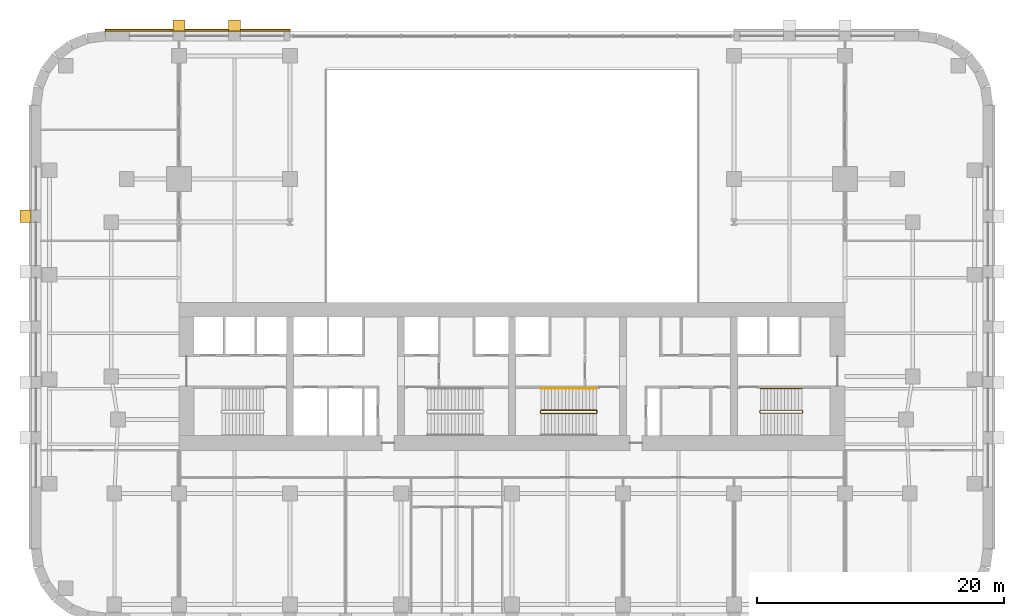
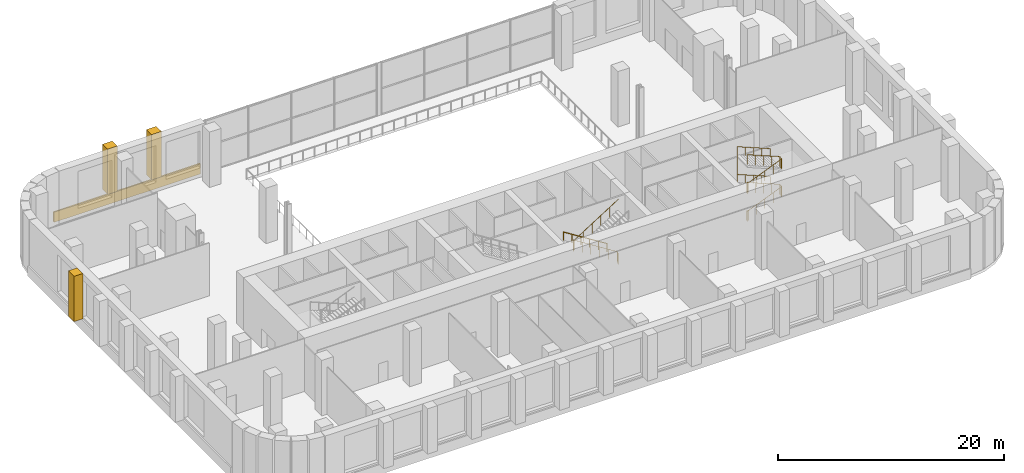
# One storey, part 11 of 13: 4 coverings, 4 railings.
"""IFC4 building model written with IfcOpenShell, lengths in metres."""

from ifc_helpers import new_model, si_unit, direction, frame, origin, origin_2d, place, context, subcontext, project, spatial, polyline, circle, outline, extrude, material, layer, layer_set, type_object, element, save


model = new_model("IFC4")

# Units and contexts
model_context = context("Model", 3, precision=1e-05, world=origin(), true_north=direction((0.0, 1.0)))
body_context = subcontext(model_context, "Body", "Model", "MODEL_VIEW")
ifc_project = project(units=[si_unit("LENGTHUNIT", "METRE"), si_unit("AREAUNIT", "SQUARE_METRE"), si_unit("VOLUMEUNIT", "CUBIC_METRE"), si_unit("PLANEANGLEUNIT", "RADIAN"), si_unit("MASSUNIT", "GRAM", prefix="KILO")], contexts=[model_context])

# Site, building, storey
site_placement = place(None, origin())
site = spatial("IfcSite", under=ifc_project, at=site_placement, CompositionType="ELEMENT")
building_placement = place(site_placement, origin())
building = spatial("IfcBuilding", under=site, at=building_placement, Name="Zellij Exchange Tower", CompositionType="ELEMENT")
storey_placement = place(building_placement, frame((0.0, 0.0, 15.0)))
storey = spatial("IfcBuildingStorey", under=building, at=storey_placement, Name="L02", CompositionType="ELEMENT", Elevation=15.0)

# Railings
ifc_material_1 = material(Name="Stainless steel", Category="steel")
railing_type_1 = type_object("IfcRailingType", Name="CORE-RG stair guard", PredefinedType="GUARDRAIL", material=ifc_material_1)
railing_1_placement = place(storey_placement, frame((6.89990234375, -10.800048828125, 0.0)))
element("IfcRailing", 1, at=railing_1_placement, inside=storey, type_object=railing_type_1, Name="ST3 stair guard L02", PredefinedType="GUARDRAIL", context=body_context, shape_type="SweptSolid", body=[
    extrude(circle(Radius=0.02392578125, at=origin_2d()), frame((0.0, 0.0, 1.076171875), z_axis=(0.0, -1.0, 0.0), x_axis=(1.0, 0.0, 0.0)), (0.0, 0.0, 1.0), 0.14990234375),
    extrude(circle(Radius=0.02392578125, at=origin_2d()), frame((0.0, -0.14990234375, 1.076171875), z_axis=(-0.183560001127, 0.736939416289, 0.650558239288), x_axis=(-0.970351222016, -0.241699205484, 0.0)), (0.0, 0.0, 1.0), 0.271240234375),
    extrude(circle(Radius=0.02392578125, at=origin_2d()), frame((-0.0498046875, 0.050048828125, 1.25244140625), z_axis=(-0.845997938375, 0.0, 0.533186166611), x_axis=(0.0, -1.0, 0.0)), (0.0, 0.0, 1.0), 5.29541015625),
    extrude(circle(Radius=0.02392578125, at=origin_2d()), frame((-4.52978515625, 0.050048828125, 4.076171875), z_axis=(-0.707106781187, -0.707106781187, 0.0), x_axis=(0.707106781187, -0.707106781187, 0.0)), (0.0, 0.0, 1.0), 0.07080078125),
    extrude(circle(Radius=0.02392578125, at=origin_2d()), frame((-4.579833984375, 0.0, 4.076171875), z_axis=(0.0, -1.0, 0.0), x_axis=(1.0, 0.0, 0.0)), (0.0, 0.0, 1.0), 0.14990234375),
    extrude(circle(Radius=0.02392578125, at=origin_2d()), frame((-4.579833984375, -0.14990234375, 4.076171875), z_axis=(0.263171338983, -0.263171338983, 0.928160380902), x_axis=(0.707106781187, 0.707106781187, 0.0)), (0.0, 0.0, 1.0), 0.190185546875),
    extrude(circle(Radius=0.02392578125, at=origin_2d()), frame((-4.52978515625, -0.199951171875, 4.25244140625), z_axis=(0.845997938375, 0.0, 0.533186166611), x_axis=(0.0, 1.0, 0.0)), (0.0, 0.0, 1.0), 5.29541015625),
    extrude(circle(Radius=0.02099609375, at=origin_2d()), origin(), (0.0, 0.0, 1.0), 1.052001953125),
    extrude(circle(Radius=0.02099609375, at=origin_2d()), frame((0.0, -0.14990234375, 0.0)), (0.0, 0.0, 1.0), 1.052001953125),
    extrude(circle(Radius=0.02099609375, at=origin_2d()), frame((-0.0498046875, 0.050048828125, 0.176513671875)), (0.0, 0.0, 1.0), 1.052001953125),
    extrude(circle(Radius=0.02099609375, at=origin_2d()), frame((-0.94580078125, 0.050048828125, 0.7412109375)), (0.0, 0.0, 1.0), 1.052001953125),
    extrude(circle(Radius=0.02099609375, at=origin_2d()), frame((-1.841796875, 0.050048828125, 1.305908203125)), (0.0, 0.0, 1.0), 1.052001953125),
    extrude(circle(Radius=0.02099609375, at=origin_2d()), frame((-2.73779296875, 0.050048828125, 1.87060546875)), (0.0, 0.0, 1.0), 1.052001953125),
    extrude(circle(Radius=0.02099609375, at=origin_2d()), frame((-3.6337890625, 0.050048828125, 2.435302734375)), (0.0, 0.0, 1.0), 1.052001953125),
    extrude(circle(Radius=0.02099609375, at=origin_2d()), frame((-4.52978515625, 0.050048828125, 3.0)), (0.0, 0.0, 1.0), 1.052001953125),
    extrude(circle(Radius=0.02099609375, at=origin_2d()), frame((-4.579833984375, 0.0, 3.0)), (0.0, 0.0, 1.0), 1.052001953125),
    extrude(circle(Radius=0.02099609375, at=origin_2d()), frame((-4.579833984375, -0.14990234375, 3.0)), (0.0, 0.0, 1.0), 1.052001953125),
    extrude(circle(Radius=0.02099609375, at=origin_2d()), frame((-4.52978515625, -0.199951171875, 3.176513671875)), (0.0, 0.0, 1.0), 1.052001953125),
    extrude(circle(Radius=0.02099609375, at=origin_2d()), frame((-3.6337890625, -0.199951171875, 3.7412109375)), (0.0, 0.0, 1.0), 1.052001953125),
    extrude(circle(Radius=0.02099609375, at=origin_2d()), frame((-2.73779296875, -0.199951171875, 4.305908203125)), (0.0, 0.0, 1.0), 1.052001953125),
    extrude(circle(Radius=0.02099609375, at=origin_2d()), frame((-1.841796875, -0.199951171875, 4.87060546875)), (0.0, 0.0, 1.0), 1.052001953125),
    extrude(circle(Radius=0.02099609375, at=origin_2d()), frame((-0.94580078125, -0.199951171875, 5.435302734375)), (0.0, 0.0, 1.0), 1.052001953125),
    extrude(circle(Radius=0.02099609375, at=origin_2d()), frame((-0.0498046875, -0.199951171875, 6.0)), (0.0, 0.0, 1.0), 1.052001953125),
])
railing_2_placement = place(storey_placement, frame((20.10009765625, -10.949951171875, 0.0)))
element("IfcRailing", 2, at=railing_2_placement, inside=storey, type_object=railing_type_1, Name="ST4 stair guard L02", PredefinedType="GUARDRAIL", context=body_context, shape_type="SweptSolid", body=[
    extrude(circle(Radius=0.02392578125, at=origin_2d()), frame((0.0, 0.0, 1.076171875), z_axis=(0.0, 1.0, 0.0), x_axis=(-1.0, 0.0, 0.0)), (0.0, 0.0, 1.0), 0.14990234375),
    extrude(circle(Radius=0.02392578125, at=origin_2d()), frame((0.0, 0.14990234375, 1.076171875), z_axis=(0.210847110147, -0.846489133385, 0.488875897547), x_axis=(0.970351222016, 0.241699205484, 0.0)), (0.0, 0.0, 1.0), 0.236328125),
    extrude(circle(Radius=0.02392578125, at=origin_2d()), frame((0.0498046875, -0.050048828125, 1.19140625), z_axis=(0.924586246868, 0.0, 0.380972797064), x_axis=(0.0, 1.0, 0.0)), (0.0, 0.0, 1.0), 3.63427734375),
    extrude(circle(Radius=0.02392578125, at=origin_2d()), frame((3.409912109375, -0.050048828125, 2.576171875), z_axis=(0.707106781187, 0.707106781187, 0.0), x_axis=(-0.707106781187, 0.707106781187, 0.0)), (0.0, 0.0, 1.0), 0.07080078125),
    extrude(circle(Radius=0.02392578125, at=origin_2d()), frame((3.4599609375, 0.0, 2.576171875), z_axis=(0.0, 1.0, 0.0), x_axis=(-1.0, 0.0, 0.0)), (0.0, 0.0, 1.0), 0.14990234375),
    extrude(circle(Radius=0.02392578125, at=origin_2d()), frame((3.4599609375, 0.14990234375, 2.576171875), z_axis=(-0.3695169537, 0.3695169537, 0.852592776099), x_axis=(-0.707106781187, -0.707106781187, 0.0)), (0.0, 0.0, 1.0), 0.135498046875),
    extrude(circle(Radius=0.02392578125, at=origin_2d()), frame((3.409912109375, 0.199951171875, 2.69140625), z_axis=(-0.924586246868, 0.0, 0.380972797064), x_axis=(0.0, -1.0, 0.0)), (0.0, 0.0, 1.0), 3.63427734375),
    extrude(circle(Radius=0.02392578125, at=origin_2d()), frame((0.0498046875, 0.199951171875, 4.076171875), z_axis=(-0.241699205484, -0.970351222016, 0.0), x_axis=(0.970351222016, -0.241699205484, 0.0)), (0.0, 0.0, 1.0), 0.2060546875),
    extrude(circle(Radius=0.02392578125, at=origin_2d()), frame((0.0, 0.0, 4.076171875), z_axis=(0.0, 1.0, 0.0), x_axis=(-1.0, 0.0, 0.0)), (0.0, 0.0, 1.0), 0.14990234375),
    extrude(circle(Radius=0.02392578125, at=origin_2d()), frame((0.0, 0.14990234375, 4.076171875), z_axis=(0.210847110147, -0.846489133385, 0.488875897547), x_axis=(0.970351222016, 0.241699205484, 0.0)), (0.0, 0.0, 1.0), 0.236328125),
    extrude(circle(Radius=0.02392578125, at=origin_2d()), frame((0.0498046875, -0.050048828125, 4.19140625), z_axis=(0.924586246868, 0.0, 0.380972797064), x_axis=(0.0, 1.0, 0.0)), (0.0, 0.0, 1.0), 3.63427734375),
    extrude(circle(Radius=0.02392578125, at=origin_2d()), frame((3.409912109375, -0.050048828125, 5.576171875), z_axis=(0.707106781187, 0.707106781187, 0.0), x_axis=(-0.707106781187, 0.707106781187, 0.0)), (0.0, 0.0, 1.0), 0.07080078125),
    extrude(circle(Radius=0.02392578125, at=origin_2d()), frame((3.4599609375, 0.0, 5.576171875), z_axis=(0.0, 1.0, 0.0), x_axis=(-1.0, 0.0, 0.0)), (0.0, 0.0, 1.0), 0.14990234375),
    extrude(circle(Radius=0.02392578125, at=origin_2d()), frame((3.4599609375, 0.14990234375, 5.576171875), z_axis=(-0.3695169537, 0.3695169537, 0.852592776099), x_axis=(-0.707106781187, -0.707106781187, 0.0)), (0.0, 0.0, 1.0), 0.135498046875),
    extrude(circle(Radius=0.02392578125, at=origin_2d()), frame((3.409912109375, 0.199951171875, 5.69140625), z_axis=(-0.924586246868, 0.0, 0.380972797064), x_axis=(0.0, -1.0, 0.0)), (0.0, 0.0, 1.0), 3.63427734375),
    extrude(circle(Radius=0.02099609375, at=origin_2d()), origin(), (0.0, 0.0, 1.0), 1.052001953125),
    extrude(circle(Radius=0.02099609375, at=origin_2d()), frame((0.0, 0.14990234375, 0.0)), (0.0, 0.0, 1.0), 1.052001953125),
    extrude(circle(Radius=0.02099609375, at=origin_2d()), frame((0.0498046875, -0.050048828125, 0.115478515625)), (0.0, 0.0, 1.0), 1.052001953125),
    extrude(circle(Radius=0.02099609375, at=origin_2d()), frame((0.889892578125, -0.050048828125, 0.461669921875)), (0.0, 0.0, 1.0), 1.052001953125),
    extrude(circle(Radius=0.02099609375, at=origin_2d()), frame((1.72998046875, -0.050048828125, 0.8076171875)), (0.0, 0.0, 1.0), 1.052001953125),
    extrude(circle(Radius=0.02099609375, at=origin_2d()), frame((2.56982421875, -0.050048828125, 1.15380859375)), (0.0, 0.0, 1.0), 1.052001953125),
    extrude(circle(Radius=0.02099609375, at=origin_2d()), frame((3.409912109375, -0.050048828125, 1.5)), (0.0, 0.0, 1.0), 1.052001953125),
    extrude(circle(Radius=0.02099609375, at=origin_2d()), frame((3.4599609375, 0.0, 1.5)), (0.0, 0.0, 1.0), 1.052001953125),
    extrude(circle(Radius=0.02099609375, at=origin_2d()), frame((3.4599609375, 0.14990234375, 1.5)), (0.0, 0.0, 1.0), 1.052001953125),
    extrude(circle(Radius=0.02099609375, at=origin_2d()), frame((3.409912109375, 0.199951171875, 1.615478515625)), (0.0, 0.0, 1.0), 1.052001953125),
    extrude(circle(Radius=0.02099609375, at=origin_2d()), frame((2.56982421875, 0.199951171875, 1.961669921875)), (0.0, 0.0, 1.0), 1.052001953125),
    extrude(circle(Radius=0.02099609375, at=origin_2d()), frame((1.72998046875, 0.199951171875, 2.3076171875)), (0.0, 0.0, 1.0), 1.052001953125),
    extrude(circle(Radius=0.02099609375, at=origin_2d()), frame((0.889892578125, 0.199951171875, 2.65380859375)), (0.0, 0.0, 1.0), 1.052001953125),
    extrude(circle(Radius=0.02099609375, at=origin_2d()), frame((0.0498046875, 0.199951171875, 3.0)), (0.0, 0.0, 1.0), 1.052001953125),
    extrude(circle(Radius=0.02099609375, at=origin_2d()), frame((0.0, 0.0, 3.0)), (0.0, 0.0, 1.0), 1.052001953125),
    extrude(circle(Radius=0.02099609375, at=origin_2d()), frame((0.0, 0.14990234375, 3.0)), (0.0, 0.0, 1.0), 1.052001953125),
    extrude(circle(Radius=0.02099609375, at=origin_2d()), frame((0.0498046875, -0.050048828125, 3.115478515625)), (0.0, 0.0, 1.0), 1.052001953125),
    extrude(circle(Radius=0.02099609375, at=origin_2d()), frame((0.889892578125, -0.050048828125, 3.461669921875)), (0.0, 0.0, 1.0), 1.052001953125),
    extrude(circle(Radius=0.02099609375, at=origin_2d()), frame((1.72998046875, -0.050048828125, 3.8076171875)), (0.0, 0.0, 1.0), 1.052001953125),
    extrude(circle(Radius=0.02099609375, at=origin_2d()), frame((2.56982421875, -0.050048828125, 4.15380859375)), (0.0, 0.0, 1.0), 1.052001953125),
    extrude(circle(Radius=0.02099609375, at=origin_2d()), frame((3.409912109375, -0.050048828125, 4.5)), (0.0, 0.0, 1.0), 1.052001953125),
    extrude(circle(Radius=0.02099609375, at=origin_2d()), frame((3.4599609375, 0.0, 4.5)), (0.0, 0.0, 1.0), 1.052001953125),
    extrude(circle(Radius=0.02099609375, at=origin_2d()), frame((3.4599609375, 0.14990234375, 4.5)), (0.0, 0.0, 1.0), 1.052001953125),
    extrude(circle(Radius=0.02099609375, at=origin_2d()), frame((3.409912109375, 0.199951171875, 4.615478515625)), (0.0, 0.0, 1.0), 1.052001953125),
    extrude(circle(Radius=0.02099609375, at=origin_2d()), frame((2.56982421875, 0.199951171875, 4.961669921875)), (0.0, 0.0, 1.0), 1.052001953125),
    extrude(circle(Radius=0.02099609375, at=origin_2d()), frame((1.72998046875, 0.199951171875, 5.3076171875)), (0.0, 0.0, 1.0), 1.052001953125),
    extrude(circle(Radius=0.02099609375, at=origin_2d()), frame((0.889892578125, 0.199951171875, 5.65380859375)), (0.0, 0.0, 1.0), 1.052001953125),
    extrude(circle(Radius=0.02099609375, at=origin_2d()), frame((0.0498046875, 0.199951171875, 6.0)), (0.0, 0.0, 1.0), 1.052001953125),
])
railing_type_2 = type_object("IfcRailingType", Name="CORE-RH stair handrail", PredefinedType="HANDRAIL", material=ifc_material_1)
railing_3_placement = place(storey_placement, frame((6.85009765625, -9.0, 0.176513671875)))
element("IfcRailing", 3, at=railing_3_placement, inside=storey, type_object=railing_type_2, Name="ST3 stair handrail L02", PredefinedType="HANDRAIL", context=body_context, shape_type="SweptSolid", body=[
    extrude(circle(Radius=0.02392578125, at=origin_2d()), frame((0.0, 0.0, 0.8759765625), z_axis=(-0.845997938375, 0.0, 0.533186166611), x_axis=(0.0, -1.0, 0.0)), (0.0, 0.0, 1.0), 5.29541015625),
    extrude(circle(Radius=0.02099609375, at=origin_2d()), origin(), (0.0, 0.0, 1.0), 0.851806640625),
    extrude(circle(Radius=0.02099609375, at=origin_2d()), frame((-0.89599609375, 0.0, 0.564697265625)), (0.0, 0.0, 1.0), 0.851806640625),
    extrude(circle(Radius=0.02099609375, at=origin_2d()), frame((-1.7919921875, 0.0, 1.12939453125)), (0.0, 0.0, 1.0), 0.851806640625),
    extrude(circle(Radius=0.02099609375, at=origin_2d()), frame((-2.68798828125, 0.0, 1.694091796875)), (0.0, 0.0, 1.0), 0.851806640625),
    extrude(circle(Radius=0.02099609375, at=origin_2d()), frame((-3.583984375, 0.0, 2.2587890625)), (0.0, 0.0, 1.0), 0.851806640625),
    extrude(circle(Radius=0.02099609375, at=origin_2d()), frame((-4.47998046875, 0.0, 2.823486328125)), (0.0, 0.0, 1.0), 0.851806640625),
])
railing_4_placement = place(storey_placement, frame((23.510009765625, -9.0, 1.615478515625)))
element("IfcRailing", 4, at=railing_4_placement, inside=storey, type_object=railing_type_2, Name="ST4 stair handrail L02", PredefinedType="HANDRAIL", context=body_context, shape_type="SweptSolid", body=[
    extrude(circle(Radius=0.02392578125, at=origin_2d()), frame((0.0, 0.0, 0.8759765625), z_axis=(-0.924586246868, 0.0, 0.380972797064), x_axis=(0.0, -1.0, 0.0)), (0.0, 0.0, 1.0), 3.63427734375),
    extrude(circle(Radius=0.02392578125, at=origin_2d()), frame((-3.360107421875, 0.0, 2.26025390625), z_axis=(0.0, 0.0, 1.0), x_axis=(1.0, 0.0, 0.0)), (0.0, 0.0, 1.0), 3.0),
    extrude(circle(Radius=0.02392578125, at=origin_2d()), frame((-3.360107421875, 0.0, 5.26025390625), z_axis=(0.924586246868, 0.0, -0.380972797064), x_axis=(0.0, 1.0, 0.0)), (0.0, 0.0, 1.0), 3.63427734375),
    extrude(circle(Radius=0.02099609375, at=origin_2d()), origin(), (0.0, 0.0, 1.0), 0.851806640625),
    extrude(circle(Radius=0.02099609375, at=origin_2d()), frame((-0.840087890625, 0.0, 0.34619140625)), (0.0, 0.0, 1.0), 0.851806640625),
    extrude(circle(Radius=0.02099609375, at=origin_2d()), frame((-1.68017578125, 0.0, 0.6923828125)), (0.0, 0.0, 1.0), 0.851806640625),
    extrude(circle(Radius=0.02099609375, at=origin_2d()), frame((-2.52001953125, 0.0, 1.038330078125)), (0.0, 0.0, 1.0), 0.851806640625),
    extrude(circle(Radius=0.02099609375, at=origin_2d()), frame((-3.360107421875, 0.0, 1.384521484375)), (0.0, 0.0, 1.0), 0.851806640625),
    extrude(circle(Radius=0.02099609375, at=origin_2d()), frame((-3.360107421875, 0.0, 2.384521484375)), (0.0, 0.0, 1.0), 0.851806640625),
    extrude(circle(Radius=0.02099609375, at=origin_2d()), frame((-3.360107421875, 0.0, 3.384521484375)), (0.0, 0.0, 1.0), 0.851806640625),
    extrude(circle(Radius=0.02099609375, at=origin_2d()), frame((-3.360107421875, 0.0, 4.384521484375)), (0.0, 0.0, 1.0), 0.851806640625),
    extrude(circle(Radius=0.02099609375, at=origin_2d()), frame((-2.52001953125, 0.0, 4.038330078125)), (0.0, 0.0, 1.0), 0.851806640625),
    extrude(circle(Radius=0.02099609375, at=origin_2d()), frame((-1.68017578125, 0.0, 3.6923828125)), (0.0, 0.0, 1.0), 0.851806640625),
    extrude(circle(Radius=0.02099609375, at=origin_2d()), frame((-0.840087890625, 0.0, 3.34619140625)), (0.0, 0.0, 1.0), 0.851806640625),
    extrude(circle(Radius=0.02099609375, at=origin_2d()), frame((0.0, 0.0, 3.0)), (0.0, 0.0, 1.0), 0.851806640625),
])

# Coverings
ifc_material_2 = material(Name="Limestone cladding", Category="masonry")
ifc_layer = layer(ifc_material_2, 0.14990234375)
ifc_layer_set = layer_set([ifc_layer], Name="Limestone cladding")
covering_type_1 = type_object("IfcCoveringType", Name="ENV-CV1 Stone spandrel band 150", PredefinedType="CLADDING", material=ifc_layer_set)
covering_1_placement = place(storey_placement, frame((0.0, 0.0, -0.300048828125)))
element("IfcCovering", 5, at=covering_1_placement, inside=storey, type_object=covering_type_1, Name="Stone spandrel band", PredefinedType="CLADDING", context=body_context, shape_type="SweptSolid", body=[
    extrude(outline(polyline([(-18.0, 20.0), (-32.973876953125, 20.0), (-32.983642578125, 20.14990234375), (-18.0, 20.14990234375), (-18.0, 20.0)])), origin(), (0.0, 0.0, 1.0), 1.10009765625),
])
covering_type_2 = type_object("IfcCoveringType", Name="ENV-CV2 Stone pier 1000x900", PredefinedType="CLADDING", material=ifc_material_2)
covering_2_placement = place(storey_placement, frame((0.0, 0.0, 0.800048828125)))
element("IfcCovering", 6, at=covering_2_placement, inside=storey, type_object=covering_type_2, Name="Stone pier", PredefinedType="CLADDING", context=body_context, shape_type="SweptSolid", body=[
    extrude(outline(polyline([(-22.0, 20.0), (-23.0, 20.0), (-23.0, 20.89990234375), (-22.0, 20.89990234375), (-22.0, 20.0)])), origin(), (0.0, 0.0, 1.0), 4.89990234375),
])
covering_3_placement = place(storey_placement, frame((0.0, 0.0, 0.800048828125)))
element("IfcCovering", 7, at=covering_3_placement, inside=storey, type_object=covering_type_2, Name="Stone pier", PredefinedType="CLADDING", context=body_context, shape_type="SweptSolid", body=[
    extrude(outline(polyline([(-26.5, 20.0), (-27.5, 20.0), (-27.5, 20.89990234375), (-26.5, 20.89990234375), (-26.5, 20.0)])), origin(), (0.0, 0.0, 1.0), 4.89990234375),
])
covering_4_placement = place(storey_placement, frame((0.0, 0.0, 0.800048828125)))
element("IfcCovering", 8, at=covering_4_placement, inside=storey, type_object=covering_type_2, Name="Stone pier", PredefinedType="CLADDING", context=body_context, shape_type="SweptSolid", body=[
    extrude(outline(polyline([(-39.0, 5.48681640625), (-39.0, 4.48681640625), (-39.89990234375, 4.48681640625), (-39.89990234375, 5.48681640625), (-39.0, 5.48681640625)])), origin(), (0.0, 0.0, 1.0), 4.89990234375),
])

save(model, "model.ifc")
